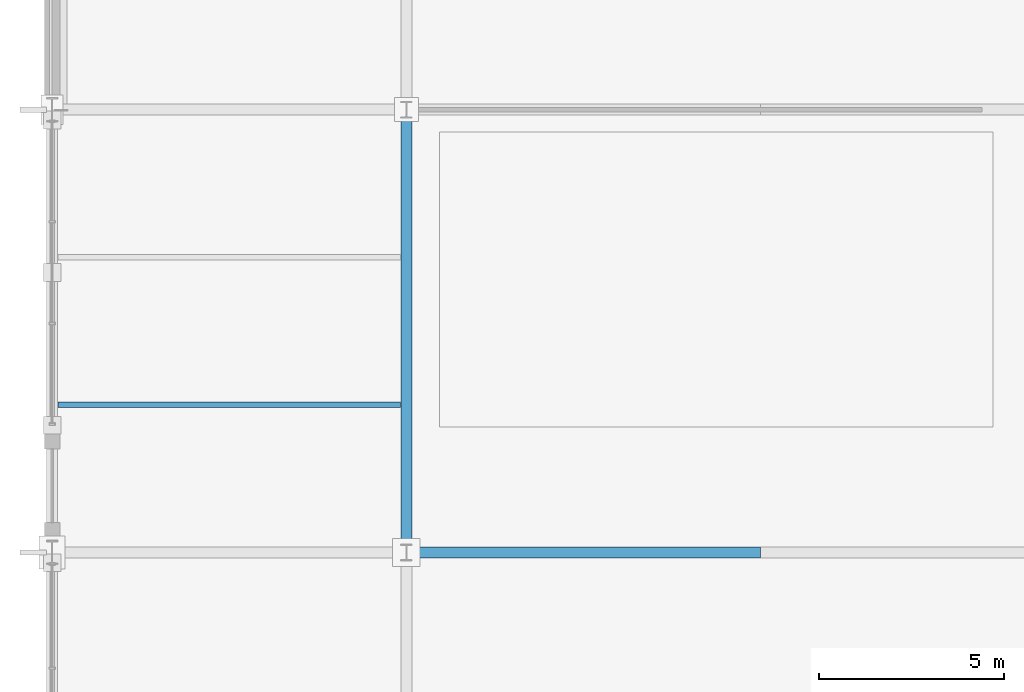
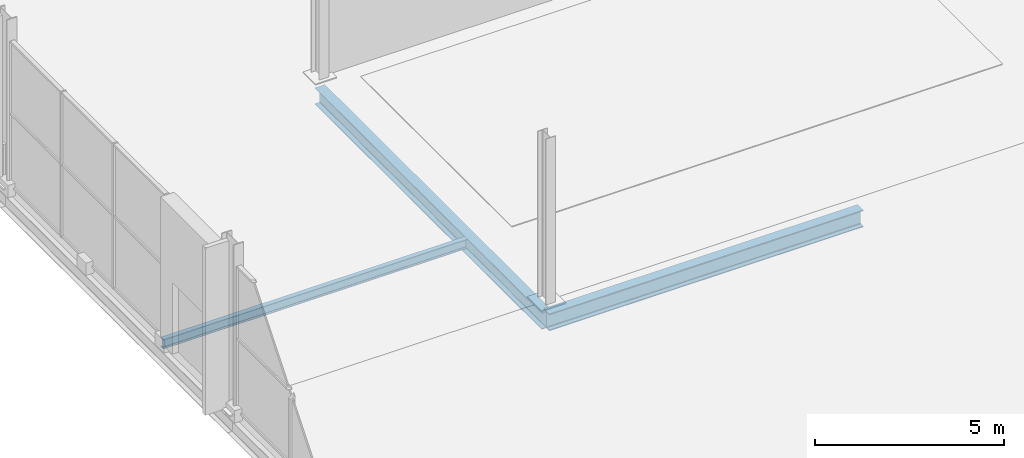
# One storey, part 90 of 196: 3 beams.
"""IFC4 building model written with IfcOpenShell, lengths in metres."""

from ifc_helpers import new_model, si_unit, direction, frame, origin, origin_2d, place, context, subcontext, project, spatial, i_section, extrude, material, material_profile, profile_set, type_object, element, save


model = new_model("IFC4")

# Units and contexts
model_context = context("Model", 3, precision=1e-05, world=origin(), true_north=direction((0.0, 1.0)))
body_context = subcontext(model_context, "Body", "Model", "MODEL_VIEW")
ifc_project = project(units=[si_unit("LENGTHUNIT", "METRE"), si_unit("AREAUNIT", "SQUARE_METRE"), si_unit("VOLUMEUNIT", "CUBIC_METRE"), si_unit("PLANEANGLEUNIT", "RADIAN"), si_unit("MASSUNIT", "GRAM", prefix="KILO")], contexts=[model_context])

# Site, building, storey
site_placement = place(None, origin())
site = spatial("IfcSite", under=ifc_project, at=site_placement, CompositionType="ELEMENT")
building_placement = place(site_placement, origin())
building = spatial("IfcBuilding", under=site, at=building_placement, Name="Merenkruunu Market Hall", CompositionType="ELEMENT")
storey_placement = place(building_placement, origin())
storey = spatial("IfcBuildingStorey", under=building, at=storey_placement, Name="L00", CompositionType="ELEMENT", Elevation=0.0)

# Beams
ifc_material = material(Name="Steel S355J2", Category="steel")
ifc_material_profile_1 = material_profile(ifc_material, i_section(OverallWidth=0.300048828125, OverallDepth=0.550048828125, WebThickness=0.014892578125, FlangeThickness=0.029052734375, FilletRadius=0.027099609375, at=origin_2d()), Name="HEB 550")
ifc_profile_set_1 = profile_set([ifc_material_profile_1], Name="Steel S355J2")
beam_type_1 = type_object("IfcBeamType", Name="Primary Floor Girder B02", PredefinedType="BEAM", material=ifc_profile_set_1)
beam_1_placement = place(storey_placement, frame((9.60009765625, 63.60009765625, -0.614990234375), z_axis=(1.0, 0.0, 0.0), x_axis=(0.0, 1.0, 0.0)))
element("IfcBeam", 1, at=beam_1_placement, inside=storey, type_object=beam_type_1, Name="BM-L00-B02-0088", PredefinedType="BEAM", context=body_context, shape_type="SweptSolid", body=[
    extrude(i_section(OverallWidth=0.300048828125, OverallDepth=0.550048828125, WebThickness=0.014892578125, FlangeThickness=0.029052734375, FilletRadius=0.027099609375, at=origin_2d()), origin(), (0.0, 0.0, 1.0), 9.599853515625),
])
ifc_material_profile_2 = material_profile(ifc_material, i_section(OverallWidth=0.300048828125, OverallDepth=0.5400390625, WebThickness=0.012451171875, FlangeThickness=0.02392578125, FilletRadius=0.027099609375, at=origin_2d()), Name="HEA 550")
ifc_profile_set_2 = profile_set([ifc_material_profile_2], Name="Steel S355J2")
beam_type_2 = type_object("IfcBeamType", Name="Primary Floor Girder B06", PredefinedType="BEAM", material=ifc_profile_set_2)
beam_2_placement = place(storey_placement, frame((9.60009765625, 63.60009765625, -0.610107421875), z_axis=(0.0, 1.0, 0.0), x_axis=(-1.0, 0.0, 0.0)))
element("IfcBeam", 2, at=beam_2_placement, inside=storey, type_object=beam_type_2, Name="BM-L00-B06-0150", PredefinedType="BEAM", context=body_context, shape_type="SweptSolid", body=[
    extrude(i_section(OverallWidth=0.300048828125, OverallDepth=0.5400390625, WebThickness=0.012451171875, FlangeThickness=0.02392578125, FilletRadius=0.027099609375, at=origin_2d()), origin(), (0.0, 0.0, 1.0), 12.0),
])
ifc_material_profile_3 = material_profile(ifc_material, i_section(OverallWidth=0.14990234375, OverallDepth=0.300048828125, WebThickness=0.007080078125, FlangeThickness=0.0107421875, FilletRadius=0.014892578125, at=origin_2d()), Name="IPE 300")
ifc_profile_set_3 = profile_set([ifc_material_profile_3], Name="Steel S355J2")
beam_type_3 = type_object("IfcBeamType", Name="Secondary Floor Joist J04", PredefinedType="JOIST", material=ifc_profile_set_3)
beam_3_placement = place(storey_placement, frame((0.153076171875, 67.60009765625, -0.489990234375), z_axis=(1.0, 0.0, 0.0), x_axis=(0.0, 1.0, 0.0)))
element("IfcBeam", 3, at=beam_3_placement, inside=storey, type_object=beam_type_3, Name="BM-L00-J04-0282", PredefinedType="JOIST", context=body_context, shape_type="SweptSolid", body=[
    extrude(i_section(OverallWidth=0.14990234375, OverallDepth=0.300048828125, WebThickness=0.007080078125, FlangeThickness=0.0107421875, FilletRadius=0.014892578125, at=origin_2d()), origin(), (0.0, 0.0, 1.0), 9.2939453125),
])

save(model, "model.ifc")
